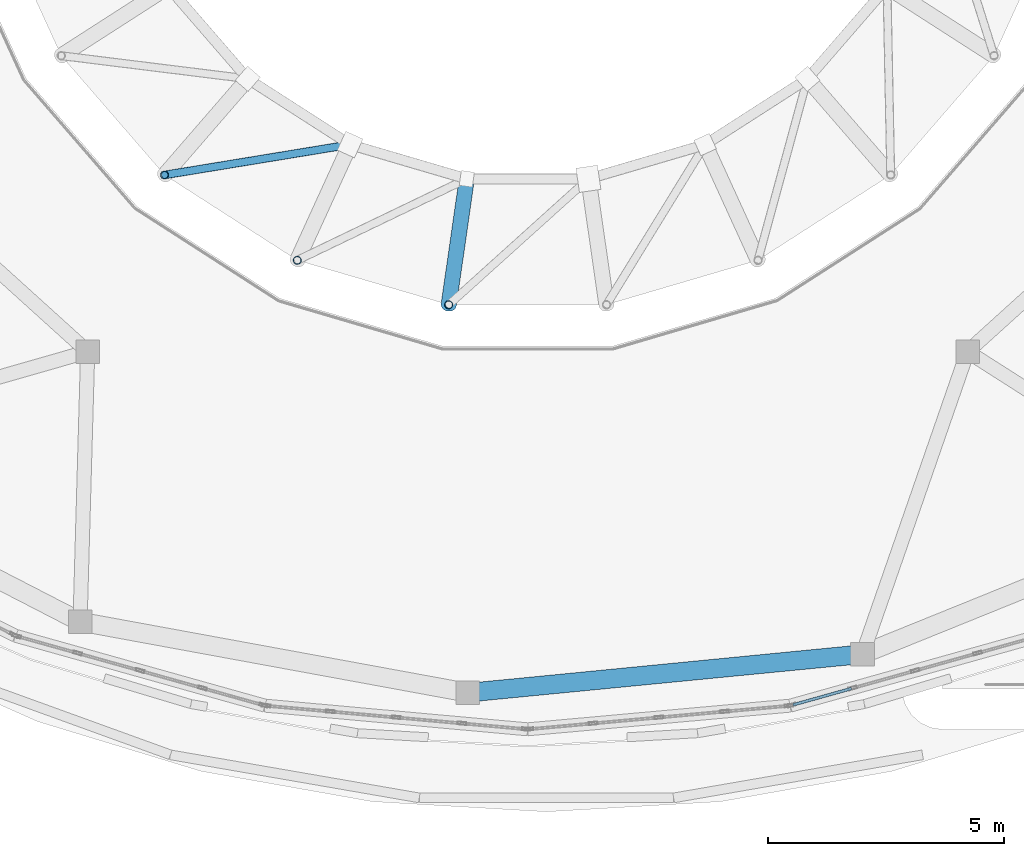
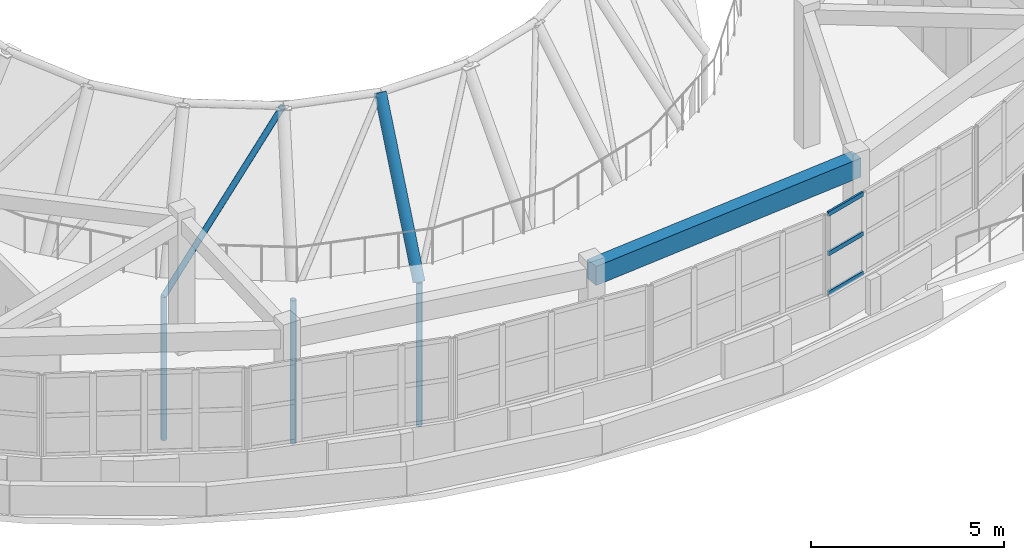
# One storey, part 6 of 38: 7 members, 2 beams, 1 element without a shape of its own.
"""IFC4 building model written with IfcOpenShell, lengths in metres."""

from ifc_helpers import new_model, si_unit, direction, frame, origin, origin_2d, place, context, subcontext, project, spatial, rectangle, hollow_rectangle, hollow_circle, extrude, material, layer, layer_set, material_profile, profile_set, type_object, element, aggregate, save


model = new_model("IFC4")

# Units and contexts
model_context = context("Model", 3, precision=1e-05, world=origin(), true_north=direction((0.0, 1.0)))
body_context = subcontext(model_context, "Body", "Model", "MODEL_VIEW")
ifc_project = project(units=[si_unit("LENGTHUNIT", "METRE"), si_unit("AREAUNIT", "SQUARE_METRE"), si_unit("VOLUMEUNIT", "CUBIC_METRE"), si_unit("PLANEANGLEUNIT", "RADIAN"), si_unit("MASSUNIT", "GRAM", prefix="KILO")], contexts=[model_context])

# Site, building, storey
site_placement = place(None, origin())
site = spatial("IfcSite", under=ifc_project, at=site_placement, CompositionType="ELEMENT")
building_placement = place(site_placement, origin())
building = spatial("IfcBuilding", under=site, at=building_placement, Name="Pelvatis Terrace Science Centre", CompositionType="ELEMENT")
storey_placement = place(building_placement, frame((0.0, 0.0, 24.300048828125)))
storey = spatial("IfcBuildingStorey", under=building, at=storey_placement, Name="L05", CompositionType="ELEMENT", Elevation=24.300048828125)

# Beams
ifc_material_1 = material(Name="Structural steel S355", Category="steel")
ifc_material_profile_1 = material_profile(ifc_material_1, hollow_circle(Radius=0.161865234375, WallThickness=0.012451171875, at=origin_2d()), Name="CHS 323.9x12.5")
ifc_profile_set_1 = profile_set([ifc_material_profile_1], Name="Structural steel S355")
beam_type_1 = type_object("IfcBeamType", Name="BM-DOME-CHS324", PredefinedType="BEAM", material=ifc_profile_set_1)
beam_1_placement = place(storey_placement, frame((107.52587890625, 74.156494140625, -1.1845703125), z_axis=(0.076485196437, 0.531849094668, 0.84337806186), x_axis=(-0.989817026311, 0.142345545858, 0.0)))
element("IfcBeam", 1, at=beam_1_placement, inside=storey, type_object=beam_type_1, Name="Planetarium meridional dome rib 17.2", PredefinedType="BEAM", context=body_context, shape_type="SweptSolid", body=[
    extrude(hollow_circle(Radius=0.161865234375, WallThickness=0.012451171875, at=origin_2d()), origin(), (0.0, 0.0, 1.0), 5.024169921875),
])
ifc_material_2 = material(Name="Concrete C35/45", Category="concrete")
ifc_material_profile_2 = material_profile(ifc_material_2, rectangle(XDim=0.39990234375, YDim=0.60009765625, at=origin_2d()), Name="RC-BM 400x600")
ifc_profile_set_2 = profile_set([ifc_material_profile_2], Name="Concrete C35/45")
beam_type_2 = type_object("IfcBeamType", Name="BM-RC-400x600", PredefinedType="BEAM", material=ifc_profile_set_2)
beam_2_placement = place(storey_placement, frame((107.92822265625, 65.926513671875, 3.9599609375), z_axis=(0.995278325495, 0.097062118249, 0.0), x_axis=(-0.097062118249, 0.995278325495, 0.0)))
element("IfcBeam", 2, at=beam_2_placement, inside=storey, type_object=beam_type_2, Name="Beam BM-L05-3138", PredefinedType="BEAM", context=body_context, shape_type="SweptSolid", body=[
    extrude(rectangle(XDim=0.39990234375, YDim=0.60009765625, at=origin_2d()), origin(), (0.0, 0.0, 1.0), 8.416259765625),
])

# Curtain wall, members
ifc_material_3 = material(Name="Bronze-anodised aluminium and laminated glass", Category="aluminium")
ifc_layer = layer(ifc_material_3, 0.179931640625)
ifc_layer_set = layer_set([ifc_layer], Name="Bronze-anodised aluminium and laminated glass")
curtain_wall_type = type_object("IfcCurtainWallType", Name="CW-RIBBON-A", PredefinedType="NOTDEFINED", material=ifc_layer_set)
curtain_wall_placement = place(storey_placement, origin())
curtain_wall = element("IfcCurtainWall", 3, at=curtain_wall_placement, inside=storey, type_object=curtain_wall_type, Name="Ribbon curtain wall CW-259 (L05)", PredefinedType="NOTDEFINED")
ifc_material_4 = material(Name="Bronze-anodised aluminium 6063-T6", Category="aluminium")
ifc_material_profile_3 = material_profile(ifc_material_4, hollow_rectangle(XDim=0.06005859375, YDim=0.139892578125, WallThickness=0.00390625, at=origin_2d()), Name="ALU-TRN 60x140")
ifc_profile_set_3 = profile_set([ifc_material_profile_3], Name="Bronze-anodised aluminium 6063-T6")
member_type_1 = type_object("IfcMemberType", Name="CWT-60x140", PredefinedType="USERDEFINED", material=ifc_profile_set_3)
member_1_placement = place(storey_placement, frame((114.831787109375, 65.6689453125, 1.050048828125), z_axis=(0.96295217629, 0.269672219885, 0.0), x_axis=(-0.269672219885, 0.96295217629, 0.0)))
member_1 = element("IfcMember", 4, at=member_1_placement, type_object=member_type_1, Name="CW-259 transom 1.1", ObjectType="TRANSOM", PredefinedType="USERDEFINED", context=body_context, shape_type="SweptSolid", body=[
    extrude(hollow_rectangle(XDim=0.06005859375, YDim=0.139892578125, WallThickness=0.00390625, at=origin_2d()), origin(), (0.0, 0.0, 1.0), 1.28466796875),
])
member_2_placement = place(storey_placement, frame((114.831787109375, 65.6689453125, 2.300048828125), z_axis=(0.96295217629, 0.269672219885, 0.0), x_axis=(-0.269672219885, 0.96295217629, 0.0)))
member_2 = element("IfcMember", 5, at=member_2_placement, type_object=member_type_1, Name="CW-259 transom 1.2", ObjectType="TRANSOM", PredefinedType="USERDEFINED", context=body_context, shape_type="SweptSolid", body=[
    extrude(hollow_rectangle(XDim=0.06005859375, YDim=0.139892578125, WallThickness=0.00390625, at=origin_2d()), origin(), (0.0, 0.0, 1.0), 1.28466796875),
])
member_3_placement = place(storey_placement, frame((114.831787109375, 65.6689453125, 3.550048828125), z_axis=(0.96295217629, 0.269672219885, 0.0), x_axis=(-0.269672219885, 0.96295217629, 0.0)))
member_3 = element("IfcMember", 6, at=member_3_placement, type_object=member_type_1, Name="CW-259 transom 1.3", ObjectType="TRANSOM", PredefinedType="USERDEFINED", context=body_context, shape_type="SweptSolid", body=[
    extrude(hollow_rectangle(XDim=0.06005859375, YDim=0.139892578125, WallThickness=0.00390625, at=origin_2d()), origin(), (0.0, 0.0, 1.0), 1.28466796875),
])
aggregate(curtain_wall, [member_1, member_2, member_3])

# Members
ifc_material_5 = material(Name="Structural steel S355", Category="steel")
ifc_material_profile_4 = material_profile(ifc_material_5, hollow_circle(Radius=0.084228515625, WallThickness=0.00634765625, at=origin_2d()), Name="CHS 168.3x6.3")
ifc_profile_set_4 = profile_set([ifc_material_profile_4], Name="Structural steel S355")
member_type_2 = type_object("IfcMemberType", Name="MEM-BRC-CHS168", PredefinedType="BRACE", material=ifc_profile_set_4)
member_4_placement = place(storey_placement, frame((101.496826171875, 76.909912109375, -1.1845703125), z_axis=(0.676562550383, 0.110900891706, 0.727986337535), x_axis=(-0.161759399858, 0.986830226816, 0.0)))
element("IfcMember", 7, at=member_4_placement, inside=storey, type_object=member_type_2, Name="Planetarium dome lateral brace 2.15", PredefinedType="BRACE", context=body_context, shape_type="SweptSolid", body=[
    extrude(hollow_circle(Radius=0.084228515625, WallThickness=0.00634765625, at=origin_2d()), origin(), (0.0, 0.0, 1.0), 5.820556640625),
])
ifc_material_6 = material(Name="Structural steel S355", Category="steel")
ifc_material_profile_5 = material_profile(ifc_material_6, hollow_circle(Radius=0.084228515625, WallThickness=0.00634765625, at=origin_2d()), Name="CHS 168.3x6.3")
ifc_profile_set_5 = profile_set([ifc_material_profile_5], Name="Structural steel S355")
member_type_3 = type_object("IfcMemberType", Name="MEM-STR-CHS168", PredefinedType="STRUT", material=ifc_profile_set_5)
for number, where, z_axis, x_axis, name in (
    (8, (101.496826171875, 76.909912109375, -5.699951171875), (0.0, 0.0, 1.0), (1.0, 0.0, 0.0), "Dome arch vertical web post 1.15"),
    (9, (104.3134765625, 75.099853515625, -5.699951171875), (0.0, 0.0, 1.0), (1.0, 0.0, 0.0), "Dome arch vertical web post 1.16"),
    (10, (107.52587890625, 74.156494140625, -5.699951171875), (0.0, 0.0, 1.0), (1.0, 0.0, 0.0), "Dome arch vertical web post 1.17"),
):
    element("IfcMember", number, at=place(storey_placement, frame(where, z_axis=z_axis, x_axis=x_axis)), inside=storey, type_object=member_type_3, Name=name, PredefinedType="STRUT", context=body_context, shape_type="SweptSolid", body=[
        extrude(hollow_circle(Radius=0.084228515625, WallThickness=0.00634765625, at=origin_2d()), origin(), (0.0, 0.0, 1.0), 4.515380859375),
    ])

save(model, "model.ifc")
